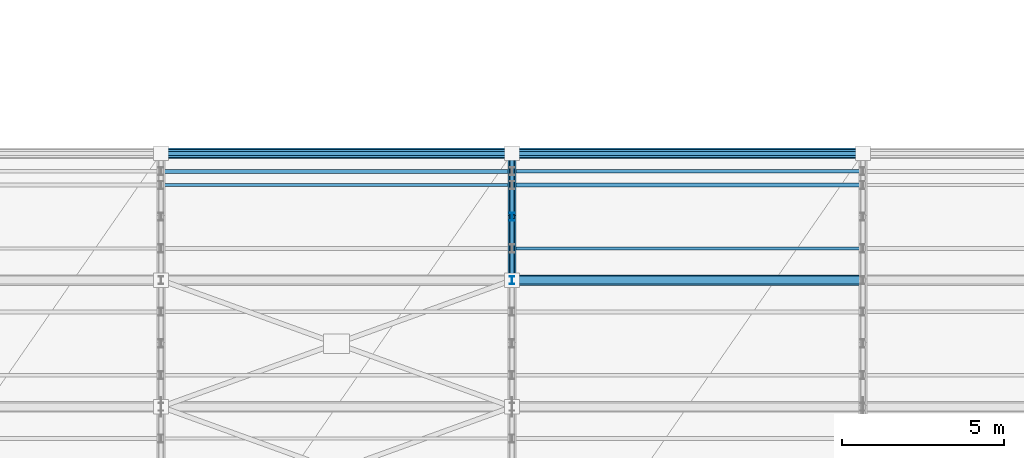
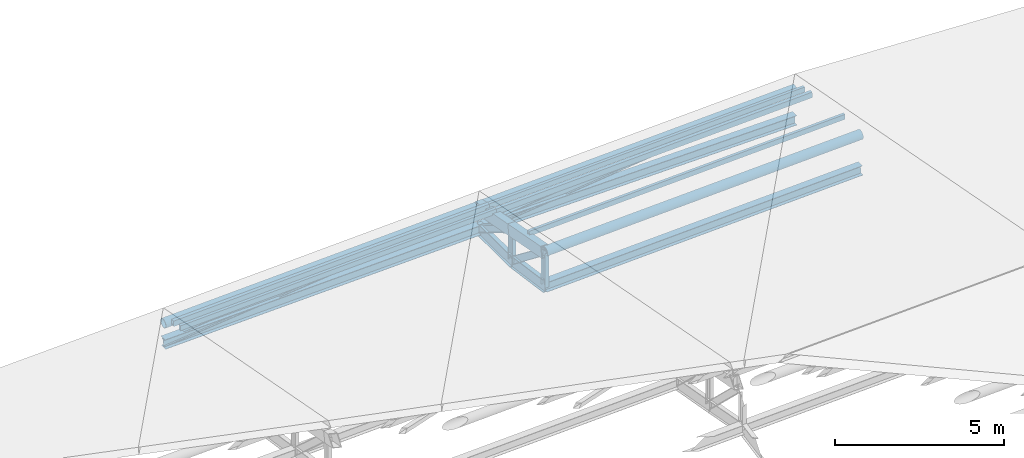
# One storey, part 35 of 89: 17 members, 4 beams.
"""IFC4 building model written with IfcOpenShell, lengths in metres."""

import ifcopenshell
import ifcopenshell.guid

model = None  # the IFC model being written
_history = None  # IfcOwnerHistory: only IFC2X3 demands one
_inside = {}  # id of a spatial element -> (the spatial element, [elements in it])
_under = {}  # id of a project, library or spatial element -> (it, [spatial elements below it])
_declared = {}  # id of a project -> (the project, [libraries it declares])
_typed = {}  # id of a type object -> (the type object, [elements of that type])
_made_of = {}  # id of a material, layer set ... -> (it, [elements and type objects made of it])


def new_model(schema):
    """Start an empty IFC model of exactly this schema.

    Asked for "IFC4X3", IfcOpenShell would pick the latest addendum, in which some entities
    have other attributes; the version numbers below select the first issue.
    IFC2X3 requires an IfcOwnerHistory on every rooted entity: one is made here for all.
    """
    global model, _history
    if schema == "IFC4X3":
        model = ifcopenshell.file(schema_version=(4, 3, 0, 0))
    else:
        model = ifcopenshell.file(schema=schema)
    _inside.clear()
    _under.clear()
    _declared.clear()
    _typed.clear()
    _made_of.clear()
    _history = None
    if model.schema == "IFC2X3":
        org = make("IfcOrganization", Name="unknown")
        user = make(
            "IfcPersonAndOrganization",
            ThePerson=make("IfcPerson", FamilyName="unknown"),
            TheOrganization=org,
        )
        app = make(
            "IfcApplication",
            ApplicationDeveloper=org,
            Version="unknown",
            ApplicationFullName="unknown",
            ApplicationIdentifier="unknown",
        )
        _history = make(
            "IfcOwnerHistory",
            OwningUser=user,
            OwningApplication=app,
            ChangeAction="ADDED",
            CreationDate=0,
        )
    return model


def make(cls, **values):
    """One entity of the class cls with the attributes given. An attribute that is None is left unset."""
    return model.create_entity(
        cls, **{name: value for name, value in values.items() if value is not None}
    )


def rooted(cls, **values):
    """An entity with a GlobalId (a new one), such as an element, a storey or a relation."""
    return make(cls, GlobalId=ifcopenshell.guid.new(), OwnerHistory=_history, **values)


def si_unit(unit_type, name, prefix=None):
    """IfcSIUnit, for example si_unit("LENGTHUNIT", "METRE", prefix="MILLI")."""
    return make("IfcSIUnit", UnitType=unit_type, Prefix=prefix, Name=name)


def assignment(units):
    """IfcUnitAssignment: the units of a project."""
    return None if units is None else make("IfcUnitAssignment", Units=units)


def point(xyz):
    """IfcCartesianPoint."""
    return None if xyz is None else make("IfcCartesianPoint", Coordinates=xyz)


def direction(xyz):
    """IfcDirection."""
    return None if xyz is None else make("IfcDirection", DirectionRatios=xyz)


def frame(location, z_axis=None, x_axis=None):
    """IfcAxis2Placement3D, a coordinate frame: its origin and axes. An axis left out is left unset."""
    return make(
        "IfcAxis2Placement3D",
        Location=point(location),
        Axis=direction(z_axis),
        RefDirection=direction(x_axis),
    )


def frame_2d(location, x_axis=None):
    """IfcAxis2Placement2D, a coordinate frame in the plane: its origin and x axis."""
    return make(
        "IfcAxis2Placement2D", Location=point(location), RefDirection=direction(x_axis)
    )


def origin():
    """The frame at (0, 0, 0) with its axes left unset."""
    return frame((0.0, 0.0, 0.0))


def origin_2d():
    """The frame at (0, 0) in the plane with its x axis left unset."""
    return frame_2d((0.0, 0.0))


def place(relative_to, where):
    """IfcLocalPlacement: puts the frame where relative to a parent placement (None: the world)."""
    return make(
        "IfcLocalPlacement", PlacementRelTo=relative_to, RelativePlacement=where
    )


def context(
    kind, dimensions, precision=None, world=None, true_north=None, identifier=None
):
    """IfcGeometricRepresentationContext, for example the 3D "Model" context."""
    return make(
        "IfcGeometricRepresentationContext",
        ContextIdentifier=identifier,
        ContextType=kind,
        CoordinateSpaceDimension=dimensions,
        Precision=precision,
        WorldCoordinateSystem=world,
        TrueNorth=true_north,
    )


def subcontext(parent, identifier, kind, view, scale=None):
    """IfcGeometricRepresentationSubContext, for example "Body" below "Model"."""
    return make(
        "IfcGeometricRepresentationSubContext",
        ContextIdentifier=identifier,
        ContextType=kind,
        ParentContext=parent,
        TargetScale=scale,
        TargetView=view,
    )


def project(units=None, contexts=None):
    """IfcProject with its units and contexts."""
    return rooted(
        "IfcProject",
        Name="project",
        RepresentationContexts=contexts,
        UnitsInContext=assignment(units),
    )


def spatial(cls, under=None, at=None, **own):
    """A site, building, storey or space (cls), placed at a placement, below another one or the project."""
    s = rooted(cls, ObjectPlacement=at, **own)
    if under is not None:
        _under.setdefault(under.id(), (under, []))[1].append(s)
    return s


def profile(cls, at=None, kind="AREA", **sizes):
    """A parametric profile (cls). Its sizes go by their IFC names, for example OverallWidth=200.0."""
    return make(cls, ProfileType=kind, Position=at, **sizes)


def hollow_rectangle(**sizes):
    """IfcRectangleHollowProfileDef."""
    return profile("IfcRectangleHollowProfileDef", **sizes)


def hollow_circle(**sizes):
    """IfcCircleHollowProfileDef."""
    return profile("IfcCircleHollowProfileDef", **sizes)


def i_section(**sizes):
    """IfcIShapeProfileDef."""
    return profile("IfcIShapeProfileDef", **sizes)


def extrude(swept, where, along, depth):
    """IfcExtrudedAreaSolid: the profile swept, set in the frame where, extruded along a direction by depth."""
    return make(
        "IfcExtrudedAreaSolid",
        SweptArea=swept,
        Position=where,
        ExtrudedDirection=direction(along),
        Depth=depth,
    )


def shape(context_of_items, identifier, shape_type, items):
    """IfcShapeRepresentation: the items that make up one representation, for example the "Body"."""
    return make(
        "IfcShapeRepresentation",
        ContextOfItems=context_of_items,
        RepresentationIdentifier=identifier,
        RepresentationType=shape_type,
        Items=items,
    )


def material(Name=None, Category=None):
    """IfcMaterial."""
    return make("IfcMaterial", Name=Name, Category=Category)


def material_profile(
    of_material, cross_section, Name=None, Category=None, Priority=None
):
    """IfcMaterialProfile: a cross section and its material."""
    return make(
        "IfcMaterialProfile",
        Name=Name,
        Material=of_material,
        Profile=cross_section,
        Priority=Priority,
        Category=Category,
    )


def profile_set(profiles, Name=None, composite=None):
    """IfcMaterialProfileSet."""
    return make(
        "IfcMaterialProfileSet",
        Name=Name,
        MaterialProfiles=profiles,
        CompositeProfile=composite,
    )


def made_of(thing, what):
    """Note that an element or type object is made of a material, layer set ...; save() writes the relation."""
    if what is not None:
        _made_of.setdefault(what.id(), (what, []))[1].append(thing)
    return thing


def type_object(cls, material=None, **own):
    """A type object (cls), such as IfcWallType, which elements share."""
    return made_of(rooted(cls, **own), material)


def element(
    cls,
    number,
    at=None,
    inside=None,
    cuts=None,
    type_object=None,
    material=None,
    context=None,
    identifier="Body",
    shape_type=None,
    held_by="IfcProductDefinitionShape",
    body=None,
    shapes=None,
    **own,
):
    """One element of the class cls, such as IfcWall. Its Tag is "e" and its number.

    at: its placement. inside: the storey or other place that contains it. cuts: it is an
    opening in that element (IfcRelVoidsElement). A single representation is given by context,
    identifier, shape_type and body (its items); several are given by shapes. held_by: the class
    of the entity that holds the representations. save() writes the other relations.
    """
    e = rooted(cls, Tag="e%d" % number, ObjectPlacement=at, **own)
    if body is not None:
        shapes = [shape(context, identifier, shape_type, body)]
    if shapes is not None:
        e.Representation = make(held_by, Representations=shapes)
    if inside is not None:
        _inside.setdefault(inside.id(), (inside, []))[1].append(e)
    if cuts is not None:
        rooted(
            "IfcRelVoidsElement", RelatingBuildingElement=cuts, RelatedOpeningElement=e
        )
    if type_object is not None:
        _typed.setdefault(type_object.id(), (type_object, []))[1].append(e)
    return made_of(e, material)


def aggregate(whole, parts):
    """IfcRelAggregates: a whole, such as a stair, and the parts it consists of."""
    return rooted("IfcRelAggregates", RelatingObject=whole, RelatedObjects=parts)


def save(model, path):
    """Write the relations noted so far, then the file.

    IfcRelAggregates (storeys below a building ...), IfcRelContainedInSpatialStructure (elements
    in a storey), IfcRelDefinesByType, IfcRelAssociatesMaterial and IfcRelDeclares: one each for
    every whole, place, type object, material and project.
    """
    for whole, parts in _under.values():
        aggregate(whole, parts)
    for where, things in _inside.values():
        rooted(
            "IfcRelContainedInSpatialStructure",
            RelatedElements=things,
            RelatingStructure=where,
        )
    for kind, things in _typed.values():
        rooted("IfcRelDefinesByType", RelatedObjects=things, RelatingType=kind)
    for what, things in _made_of.values():
        rooted("IfcRelAssociatesMaterial", RelatedObjects=things, RelatingMaterial=what)
    for by, libraries in _declared.values():
        rooted("IfcRelDeclares", RelatingContext=by, RelatedDefinitions=libraries)
    model.write(path)


model = new_model("IFC4")

# Units and contexts
model_context = context("Model", 3, precision=1e-05, world=origin(), true_north=direction((0.0, 1.0)))
body_context = subcontext(model_context, "Body", "Model", "MODEL_VIEW")
ifc_project = project(units=[si_unit("LENGTHUNIT", "METRE"), si_unit("AREAUNIT", "SQUARE_METRE"), si_unit("VOLUMEUNIT", "CUBIC_METRE"), si_unit("PLANEANGLEUNIT", "RADIAN"), si_unit("MASSUNIT", "GRAM", prefix="KILO")], contexts=[model_context])

# Site, building, storey
site_placement = place(None, origin())
site = spatial("IfcSite", under=ifc_project, at=site_placement, CompositionType="ELEMENT")
building_placement = place(site_placement, origin())
building = spatial("IfcBuilding", under=site, at=building_placement, Name="Suirenkawa Promenade Aquatics Centre", CompositionType="ELEMENT")
storey_placement = place(building_placement, frame((0.0, 0.0, 9.60009765625)))
storey = spatial("IfcBuildingStorey", under=building, at=storey_placement, Name="L02", CompositionType="ELEMENT", Elevation=9.60009765625)

# Beams
ifc_material = material(Name="Steel IS 2062 E350 (Grade 350)", Category="steel")
ifc_material_profile_1 = material_profile(ifc_material, i_section(OverallWidth=0.14990234375, OverallDepth=0.449951171875, WebThickness=0.009033203125, FlangeThickness=0.01708984375, at=origin_2d()), Name="ISMB 450", Category="steel")
ifc_profile_set_1 = profile_set([ifc_material_profile_1], Name="Steel IS 2062 E350 (Grade 350)")
beam_type_1 = type_object("IfcBeamType", Name="BT-STL-ISMB450", PredefinedType="BEAM", material=ifc_profile_set_1)
beam_1_placement = place(storey_placement, frame((133.199951171875, 24.89990234375, -1.4580078125), z_axis=(0.0, 0.989986639719, -0.141161089464), x_axis=(-1.0, 0.0, 0.0)))
element("IfcBeam", 1, at=beam_1_placement, inside=storey, type_object=beam_type_1, Name="ROOF TRUSS V3 bottom chord BM-08 BM-2764", PredefinedType="BEAM", context=body_context, shape_type="SweptSolid", body=[
    extrude(i_section(OverallWidth=0.14990234375, OverallDepth=0.449951171875, WebThickness=0.009033203125, FlangeThickness=0.01708984375, at=origin_2d()), origin(), (0.0, 0.0, 1.0), 1.969970703125),
])
beam_2_placement = place(storey_placement, frame((133.199951171875, 26.85009765625, -1.736083984375), z_axis=(0.0, 0.999974535465, -0.00713641524), x_axis=(-1.0, 0.0, 0.0)))
element("IfcBeam", 2, at=beam_2_placement, inside=storey, type_object=beam_type_1, Name="ROOF TRUSS V3 bottom chord BM-08 BM-2766", PredefinedType="BEAM", context=body_context, shape_type="SweptSolid", body=[
    extrude(i_section(OverallWidth=0.14990234375, OverallDepth=0.449951171875, WebThickness=0.009033203125, FlangeThickness=0.01708984375, at=origin_2d()), origin(), (0.0, 0.0, 1.0), 1.949951171875),
])
ifc_material_profile_2 = material_profile(ifc_material, hollow_rectangle(XDim=0.25, YDim=0.39990234375, WallThickness=0.01611328125, at=origin_2d()), Name="RHS 400x250x16", Category="steel")
ifc_profile_set_2 = profile_set([ifc_material_profile_2], Name="Steel IS 2062 E350 (Grade 350)")
beam_type_2 = type_object("IfcBeamType", Name="BT-TC-RHS400", PredefinedType="BEAM", material=ifc_profile_set_2)
beam_3_placement = place(storey_placement, frame((133.199951171875, 24.89990234375, -0.22216796875), z_axis=(0.0, 0.982575710299, -0.185862781455), x_axis=(-1.0, 0.0, 0.0)))
element("IfcBeam", 3, at=beam_3_placement, inside=storey, type_object=beam_type_2, Name="ROOF TRUSS V3 top chord TC-03 BM-2763", PredefinedType="BEAM", context=body_context, shape_type="SweptSolid", body=[
    extrude(hollow_rectangle(XDim=0.25, YDim=0.39990234375, WallThickness=0.01611328125, at=origin_2d()), origin(), (0.0, 0.0, 1.0), 1.98486328125),
])
beam_4_placement = place(storey_placement, frame((133.199951171875, 26.85009765625, -0.591064453125), z_axis=(0.0, 0.98254898431, -0.186004014558), x_axis=(-1.0, 0.0, 0.0)))
element("IfcBeam", 4, at=beam_4_placement, inside=storey, type_object=beam_type_2, Name="ROOF TRUSS V3 top chord TC-03 BM-2765", PredefinedType="BEAM", context=body_context, shape_type="SweptSolid", body=[
    extrude(hollow_rectangle(XDim=0.25, YDim=0.39990234375, WallThickness=0.01611328125, at=origin_2d()), origin(), (0.0, 0.0, 1.0), 1.984619140625),
])

# Members
ifc_material_profile_3 = material_profile(ifc_material, hollow_circle(Radius=0.162109375, WallThickness=0.013916015625, at=origin_2d()), Name="CHS 324x14", Category="steel")
ifc_profile_set_3 = profile_set([ifc_material_profile_3], Name="Steel IS 2062 E350 (Grade 350)")
member_type_1 = type_object("IfcMemberType", Name="MT-CHORD-CHS324", PredefinedType="CHORD", material=ifc_profile_set_3)
for number, where, z_axis, x_axis, name in (
    (5, (122.39990234375, 28.800048828125, -1.41015625), (0.9991332688, 0.0, 0.041625847467), (0.0, 1.0, 0.0), "ROOF TRUSS V3 eave top chord CH-01 MB-1526"),
    (6, (133.199951171875, 28.800048828125, -0.960205078125), (0.999132329203, 0.0, 0.041648394219), (0.0, 1.0, 0.0), "ROOF TRUSS V3 eave top chord CH-01 MB-1529"),
    (7, (133.199951171875, 24.89990234375, -0.22216796875), (0.9991332688, 0.0, 0.041625847467), (0.0, 1.0, 0.0), "ROOF TRUSS V3 tie chord CH-01 MB-1629"),
):
    element("IfcMember", number, at=place(storey_placement, frame(where, z_axis=z_axis, x_axis=x_axis)), inside=storey, type_object=member_type_1, Name=name, PredefinedType="CHORD", context=body_context, shape_type="SweptSolid", body=[
        extrude(hollow_circle(Radius=0.162109375, WallThickness=0.013916015625, at=origin_2d()), origin(), (0.0, 0.0, 1.0), 10.809326171875),
    ])
ifc_material_profile_4 = material_profile(ifc_material, i_section(OverallWidth=0.25, OverallDepth=0.35009765625, WebThickness=0.010009765625, FlangeThickness=0.011962890625, at=origin_2d()), Name="ISHB 350", Category="steel")
ifc_profile_set_4 = profile_set([ifc_material_profile_4], Name="Steel IS 2062 E350 (Grade 350)")
member_type_2 = type_object("IfcMemberType", Name="MT-CHORD-ISHB350", PredefinedType="CHORD", material=ifc_profile_set_4)
member_1_placement = place(storey_placement, frame((122.39990234375, 28.800048828125, -2.110107421875), z_axis=(0.999444580951, 0.0, 0.033324609646), x_axis=(0.0, 1.0, 0.0)))
element("IfcMember", 8, at=member_1_placement, inside=storey, type_object=member_type_2, Name="ROOF TRUSS V3 eave bottom chord CH-04 MB-1527", PredefinedType="CHORD", context=body_context, shape_type="SweptSolid", body=[
    extrude(i_section(OverallWidth=0.25, OverallDepth=0.35009765625, WebThickness=0.010009765625, FlangeThickness=0.011962890625, at=origin_2d()), origin(), (0.0, 0.0, 1.0), 10.80615234375),
])
member_2_placement = place(storey_placement, frame((133.199951171875, 28.800048828125, -1.75), z_axis=(0.99984538304, 0.0, 0.01758436847), x_axis=(0.0, 1.0, 0.0)))
element("IfcMember", 9, at=member_2_placement, inside=storey, type_object=member_type_2, Name="ROOF TRUSS V3 eave bottom chord CH-04 MB-1530", PredefinedType="CHORD", context=body_context, shape_type="SweptSolid", body=[
    extrude(i_section(OverallWidth=0.25, OverallDepth=0.35009765625, WebThickness=0.010009765625, FlangeThickness=0.011962890625, at=origin_2d()), origin(), (0.0, 0.0, 1.0), 10.8017578125),
])
member_3_placement = place(storey_placement, frame((133.199951171875, 24.89990234375, -1.4580078125), z_axis=(0.9991332688, 0.0, 0.041625847467), x_axis=(0.0, 1.0, 0.0)))
element("IfcMember", 10, at=member_3_placement, inside=storey, type_object=member_type_2, Name="ROOF TRUSS V3 bottom tie CH-04 MB-1630", PredefinedType="CHORD", context=body_context, shape_type="SweptSolid", body=[
    extrude(i_section(OverallWidth=0.25, OverallDepth=0.35009765625, WebThickness=0.010009765625, FlangeThickness=0.011962890625, at=origin_2d()), origin(), (0.0, 0.0, 1.0), 10.809326171875),
])
ifc_material_profile_5 = material_profile(ifc_material, hollow_rectangle(XDim=0.10009765625, YDim=0.179931640625, WallThickness=0.008056640625, at=origin_2d()), Name="RHS 180x100x8", Category="steel")
ifc_profile_set_5 = profile_set([ifc_material_profile_5], Name="Steel IS 2062 E350 (Grade 350)")
member_type_3 = type_object("IfcMemberType", Name="MT-PURLIN-RHS180", PredefinedType="PURLIN", material=ifc_profile_set_5)
for number, where, z_axis, x_axis, name in (
    (11, (122.39990234375, 27.824951171875, -0.97314453125), (0.9991332688, 0.0, 0.041625847467), (0.0, 1.0, 0.0), "ROOF TRUSS Roof purlin PU-01 MB-2821"),
    (12, (133.199951171875, 25.875, -0.154052734375), (0.9991332688, 0.0, 0.041625847467), (0.0, 1.0, 0.0), "ROOF TRUSS Roof purlin PU-01 MB-2859"),
    (13, (133.199951171875, 28.25, -0.60302734375), (0.9991332688, 0.0, 0.041625847467), (0.0, 1.0, 0.0), "ROOF TRUSS Roof purlin PU-01 MB-2863"),
):
    element("IfcMember", number, at=place(storey_placement, frame(where, z_axis=z_axis, x_axis=x_axis)), inside=storey, type_object=member_type_3, Name=name, PredefinedType="PURLIN", context=body_context, shape_type="SweptSolid", body=[
        extrude(hollow_rectangle(XDim=0.10009765625, YDim=0.179931640625, WallThickness=0.008056640625, at=origin_2d()), origin(), (0.0, 0.0, 1.0), 10.809326171875),
    ])
ifc_material_profile_6 = material_profile(ifc_material, hollow_rectangle(XDim=0.1201171875, YDim=0.199951171875, WallThickness=0.008056640625, at=origin_2d()), Name="RHS 200x120x8", Category="steel")
ifc_profile_set_6 = profile_set([ifc_material_profile_6], Name="Steel IS 2062 E350 (Grade 350)")
member_type_4 = type_object("IfcMemberType", Name="MT-PURLIN-RHS200", PredefinedType="PURLIN", material=ifc_profile_set_6)
for number, where, z_axis, x_axis, name in (
    (14, (122.39990234375, 28.25, -1.065185546875), (0.999132329203, 0.0, 0.041648394219), (0.0, 1.0, 0.0), "ROOF TRUSS Roof purlin PU-02 MB-2823"),
    (15, (133.199951171875, 27.824951171875, -0.5341796875), (0.999137022116, 0.0, 0.041535659825), (0.0, 1.0, 0.0), "ROOF TRUSS Roof purlin PU-02 MB-2861"),
):
    element("IfcMember", number, at=place(storey_placement, frame(where, z_axis=z_axis, x_axis=x_axis)), inside=storey, type_object=member_type_4, Name=name, PredefinedType="PURLIN", context=body_context, shape_type="SweptSolid", body=[
        extrude(hollow_rectangle(XDim=0.1201171875, YDim=0.199951171875, WallThickness=0.008056640625, at=origin_2d()), origin(), (0.0, 0.0, 1.0), 10.809326171875),
    ])
ifc_material_profile_7 = material_profile(ifc_material, i_section(OverallWidth=0.125, OverallDepth=0.25, WebThickness=0.007080078125, FlangeThickness=0.012939453125, at=origin_2d()), Name="ISMB 250", Category="steel")
ifc_profile_set_7 = profile_set([ifc_material_profile_7], Name="Steel IS 2062 E350 (Grade 350)")
member_type_5 = type_object("IfcMemberType", Name="MT-WEB-CHS168", PredefinedType="BRACE", material=ifc_profile_set_7)
member_4_placement = place(storey_placement, frame((133.199951171875, 24.89990234375, -0.22216796875), z_axis=(0.0, 0.789921627577, -0.613207813295), x_axis=(-1.0, 0.0, 0.0)))
element("IfcMember", 16, at=member_4_placement, inside=storey, type_object=member_type_5, Name="ROOF TRUSS V3 web diagonal TD-03 MB-1445", PredefinedType="BRACE", context=body_context, shape_type="SweptSolid", body=[
    extrude(i_section(OverallWidth=0.125, OverallDepth=0.25, WebThickness=0.007080078125, FlangeThickness=0.012939453125, at=origin_2d()), origin(), (0.0, 0.0, 1.0), 2.46875),
])
member_5_placement = place(storey_placement, frame((133.199951171875, 26.85009765625, -0.591064453125), z_axis=(0.0, 0.859631710804, -0.510914201976), x_axis=(-1.0, 0.0, 0.0)))
element("IfcMember", 17, at=member_5_placement, inside=storey, type_object=member_type_5, Name="ROOF TRUSS V3 web diagonal TD-03 MB-1446", PredefinedType="BRACE", context=body_context, shape_type="SweptSolid", body=[
    extrude(i_section(OverallWidth=0.125, OverallDepth=0.25, WebThickness=0.007080078125, FlangeThickness=0.012939453125, at=origin_2d()), origin(), (0.0, 0.0, 1.0), 2.268310546875),
])
member_6_placement = place(storey_placement, frame((133.199951171875, 24.89990234375, -1.4580078125), z_axis=(0.0, 0.0, 1.0), x_axis=(1.0, 0.0, 0.0)))
element("IfcMember", 18, at=member_6_placement, inside=storey, type_object=member_type_5, Name="ROOF TRUSS V3 web post TD-03 MB-1460", PredefinedType="BRACE", context=body_context, shape_type="SweptSolid", body=[
    extrude(i_section(OverallWidth=0.125, OverallDepth=0.25, WebThickness=0.007080078125, FlangeThickness=0.012939453125, at=origin_2d()), origin(), (0.0, 0.0, 1.0), 1.23583984375),
])
member_7_placement = place(storey_placement, frame((133.199951171875, 26.85009765625, -1.736083984375), z_axis=(0.0, 0.0, 1.0), x_axis=(1.0, 0.0, 0.0)))
element("IfcMember", 19, at=member_7_placement, inside=storey, type_object=member_type_5, Name="ROOF TRUSS V3 web post TD-03 MB-1461", PredefinedType="BRACE", context=body_context, shape_type="SweptSolid", body=[
    extrude(i_section(OverallWidth=0.125, OverallDepth=0.25, WebThickness=0.007080078125, FlangeThickness=0.012939453125, at=origin_2d()), origin(), (0.0, 0.0, 1.0), 1.14501953125),
])
member_8_placement = place(storey_placement, frame((122.39990234375, 28.800048828125, -2.110107421875), z_axis=(0.994379602001, 0.0, 0.105873543084), x_axis=(0.0, 1.0, 0.0)))
element("IfcMember", 20, at=member_8_placement, inside=storey, type_object=member_type_5, Name="ROOF TRUSS V3 eave web diagonal TD-03 MB-1528", PredefinedType="BRACE", context=body_context, shape_type="SweptSolid", body=[
    extrude(i_section(OverallWidth=0.125, OverallDepth=0.25, WebThickness=0.007080078125, FlangeThickness=0.012939453125, at=origin_2d()), origin(), (0.0, 0.0, 1.0), 10.861083984375),
])
member_9_placement = place(storey_placement, frame((133.199951171875, 28.800048828125, -1.75), z_axis=(0.99347339796, 0.0, 0.11406405019), x_axis=(0.0, 1.0, 0.0)))
element("IfcMember", 21, at=member_9_placement, inside=storey, type_object=member_type_5, Name="ROOF TRUSS V3 eave web diagonal TD-03 MB-1531", PredefinedType="BRACE", context=body_context, shape_type="SweptSolid", body=[
    extrude(i_section(OverallWidth=0.125, OverallDepth=0.25, WebThickness=0.007080078125, FlangeThickness=0.012939453125, at=origin_2d()), origin(), (0.0, 0.0, 1.0), 10.87109375),
])

save(model, "model.ifc")
